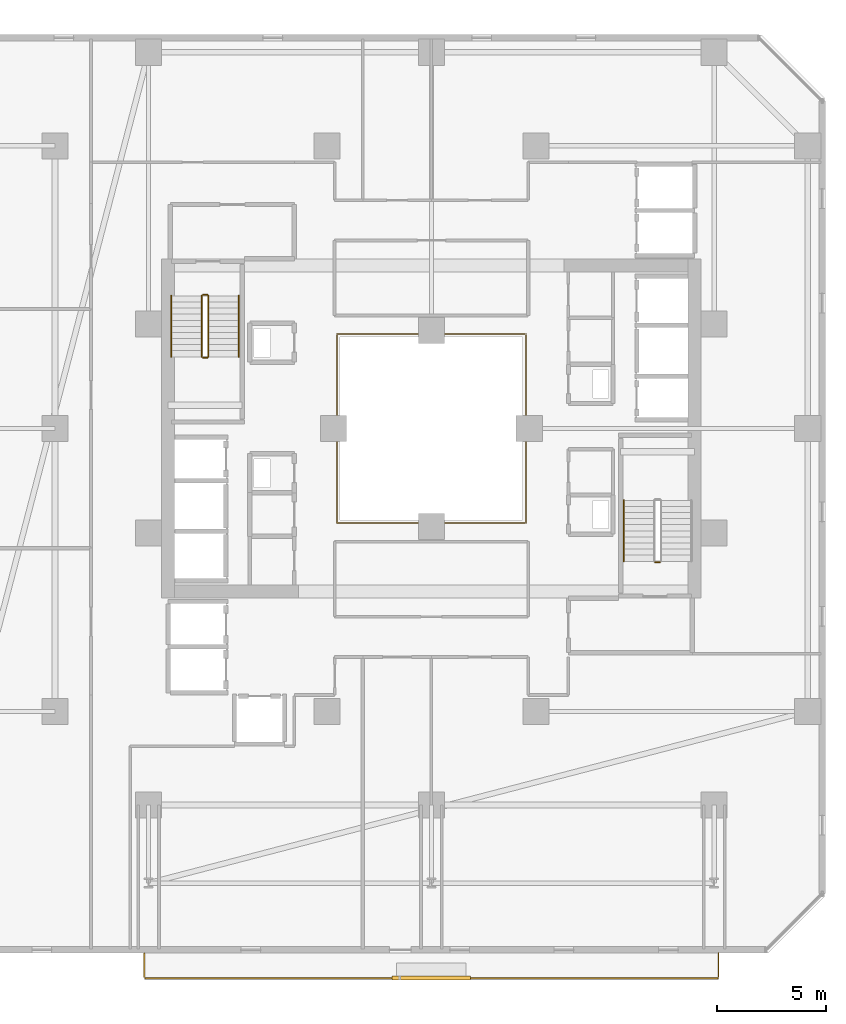
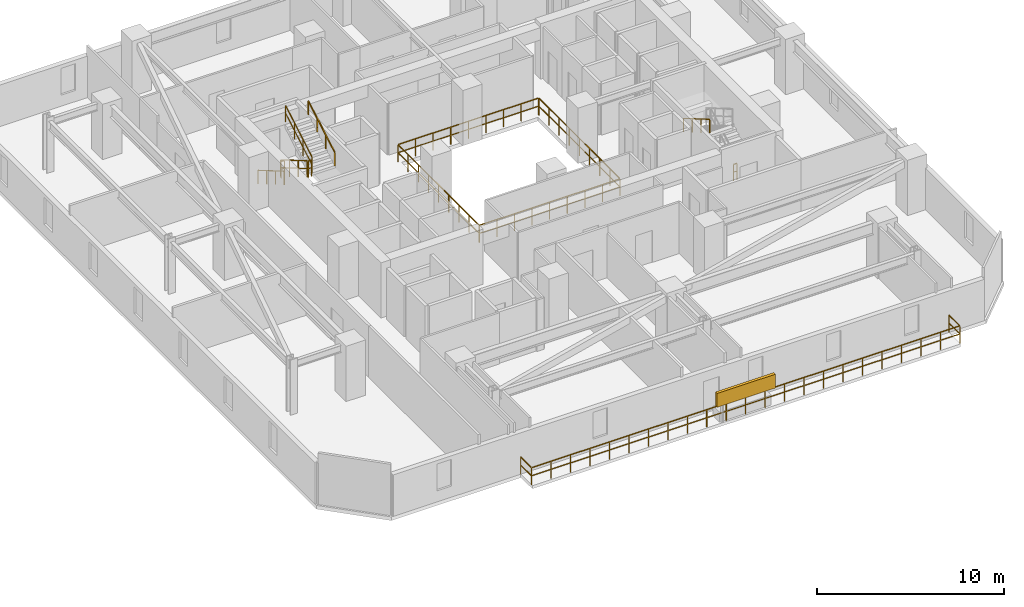
# One storey, part 32 of 33: 10 railings, 1 shading device.
"""IFC4 building model written with IfcOpenShell, lengths in metres."""

from ifc_helpers import new_model, si_unit, direction, frame, origin, origin_2d, place, context, subcontext, project, spatial, rectangle, extrude, material, type_object, element, save


model = new_model("IFC4")

# Units and contexts
model_context = context("Model", 3, precision=1e-05, world=origin(), true_north=direction((0.0, 1.0)))
body_context = subcontext(model_context, "Body", "Model", "MODEL_VIEW")
ifc_project = project(units=[si_unit("LENGTHUNIT", "METRE"), si_unit("AREAUNIT", "SQUARE_METRE"), si_unit("VOLUMEUNIT", "CUBIC_METRE"), si_unit("PLANEANGLEUNIT", "RADIAN"), si_unit("MASSUNIT", "GRAM", prefix="KILO")], contexts=[model_context])

# Site, building, storey
site_placement = place(None, origin())
site = spatial("IfcSite", under=ifc_project, at=site_placement, CompositionType="ELEMENT")
building_placement = place(site_placement, origin())
building = spatial("IfcBuilding", under=site, at=building_placement, Name="Thornwick Lancets Civic Towers", CompositionType="ELEMENT")
storey_placement = place(building_placement, frame((0.0, 0.0, 112.5)))
storey = spatial("IfcBuildingStorey", under=building, at=storey_placement, Name="L29", CompositionType="ELEMENT", Elevation=112.5)

# Railings
ifc_material_1 = material(Name="Laminated glass and bronze steel S355", Category="steel")
railing_type_1 = type_object("IfcRailingType", Name="RAIL_ATRIUM_GUARD", PredefinedType="BALUSTRADE", material=ifc_material_1)
railing_1_placement = place(storey_placement, frame((84.159912109375, 22.659912109375, 0.0)))
element("IfcRailing", 1, at=railing_1_placement, inside=storey, type_object=railing_type_1, Name="L29 Tower B Central Atrium Guard Balustrade", PredefinedType="BALUSTRADE", context=body_context, shape_type="SweptSolid", body=[
    extrude(rectangle(XDim=0.048095703125, YDim=0.048095703125, at=origin_2d()), frame((0.0, 0.0, 1.1259765625), z_axis=(1.0, 0.0, 0.0), x_axis=(0.0, 1.0, 0.0)), (0.0, 0.0, 1.0), 8.64892578125),
    extrude(rectangle(XDim=0.0419921875, YDim=0.0419921875, at=origin_2d()), frame((0.03759765625, 0.0, 0.597900390625), z_axis=(1.0, 0.0, 0.0), x_axis=(0.0, 1.0, 0.0)), (0.0, 0.0, 1.0), 1.010009765625),
    extrude(rectangle(XDim=0.0419921875, YDim=0.0419921875, at=origin_2d()), frame((1.12255859375, 0.0, 0.597900390625), z_axis=(1.0, 0.0, 0.0), x_axis=(0.0, 1.0, 0.0)), (0.0, 0.0, 1.0), 1.010009765625),
    extrude(rectangle(XDim=0.0419921875, YDim=0.0419921875, at=origin_2d()), frame((2.20751953125, 0.0, 0.597900390625), z_axis=(1.0, 0.0, 0.0), x_axis=(0.0, 1.0, 0.0)), (0.0, 0.0, 1.0), 1.010009765625),
    extrude(rectangle(XDim=0.0419921875, YDim=0.0419921875, at=origin_2d()), frame((3.29248046875, 0.0, 0.597900390625), z_axis=(1.0, 0.0, 0.0), x_axis=(0.0, 1.0, 0.0)), (0.0, 0.0, 1.0), 1.010009765625),
    extrude(rectangle(XDim=0.0419921875, YDim=0.0419921875, at=origin_2d()), frame((4.377685546875, 0.0, 0.597900390625), z_axis=(1.0, 0.0, 0.0), x_axis=(0.0, 1.0, 0.0)), (0.0, 0.0, 1.0), 1.010009765625),
    extrude(rectangle(XDim=0.0419921875, YDim=0.0419921875, at=origin_2d()), frame((5.462646484375, 0.0, 0.597900390625), z_axis=(1.0, 0.0, 0.0), x_axis=(0.0, 1.0, 0.0)), (0.0, 0.0, 1.0), 1.010009765625),
    extrude(rectangle(XDim=0.0419921875, YDim=0.0419921875, at=origin_2d()), frame((6.547607421875, 0.0, 0.597900390625), z_axis=(1.0, 0.0, 0.0), x_axis=(0.0, 1.0, 0.0)), (0.0, 0.0, 1.0), 1.010009765625),
    extrude(rectangle(XDim=0.0419921875, YDim=0.0419921875, at=origin_2d()), frame((7.632568359375, 0.0, 0.597900390625), z_axis=(1.0, 0.0, 0.0), x_axis=(0.0, 1.0, 0.0)), (0.0, 0.0, 1.0), 1.010009765625),
    extrude(rectangle(XDim=0.048095703125, YDim=0.048095703125, at=origin_2d()), frame((8.68017578125, 0.03125, 1.1259765625), z_axis=(0.0, 1.0, 0.0), x_axis=(-1.0, 0.0, 0.0)), (0.0, 0.0, 1.0), 8.61767578125),
    extrude(rectangle(XDim=0.0419921875, YDim=0.0419921875, at=origin_2d()), frame((8.68017578125, 0.03759765625, 0.597900390625), z_axis=(0.0, 1.0, 0.0), x_axis=(-1.0, 0.0, 0.0)), (0.0, 0.0, 1.0), 1.010009765625),
    extrude(rectangle(XDim=0.0419921875, YDim=0.0419921875, at=origin_2d()), frame((8.68017578125, 1.12255859375, 0.597900390625), z_axis=(0.0, 1.0, 0.0), x_axis=(-1.0, 0.0, 0.0)), (0.0, 0.0, 1.0), 1.010009765625),
    extrude(rectangle(XDim=0.0419921875, YDim=0.0419921875, at=origin_2d()), frame((8.68017578125, 2.20751953125, 0.597900390625), z_axis=(0.0, 1.0, 0.0), x_axis=(-1.0, 0.0, 0.0)), (0.0, 0.0, 1.0), 1.010009765625),
    extrude(rectangle(XDim=0.0419921875, YDim=0.0419921875, at=origin_2d()), frame((8.68017578125, 3.29248046875, 0.597900390625), z_axis=(0.0, 1.0, 0.0), x_axis=(-1.0, 0.0, 0.0)), (0.0, 0.0, 1.0), 1.010009765625),
    extrude(rectangle(XDim=0.0419921875, YDim=0.0419921875, at=origin_2d()), frame((8.68017578125, 4.377685546875, 0.597900390625), z_axis=(0.0, 1.0, 0.0), x_axis=(-1.0, 0.0, 0.0)), (0.0, 0.0, 1.0), 1.010009765625),
    extrude(rectangle(XDim=0.0419921875, YDim=0.0419921875, at=origin_2d()), frame((8.68017578125, 5.462646484375, 0.597900390625), z_axis=(0.0, 1.0, 0.0), x_axis=(-1.0, 0.0, 0.0)), (0.0, 0.0, 1.0), 1.010009765625),
    extrude(rectangle(XDim=0.0419921875, YDim=0.0419921875, at=origin_2d()), frame((8.68017578125, 6.547607421875, 0.597900390625), z_axis=(0.0, 1.0, 0.0), x_axis=(-1.0, 0.0, 0.0)), (0.0, 0.0, 1.0), 1.010009765625),
    extrude(rectangle(XDim=0.0419921875, YDim=0.0419921875, at=origin_2d()), frame((8.68017578125, 7.632568359375, 0.597900390625), z_axis=(0.0, 1.0, 0.0), x_axis=(-1.0, 0.0, 0.0)), (0.0, 0.0, 1.0), 1.010009765625),
    extrude(rectangle(XDim=0.048095703125, YDim=0.048095703125, at=origin_2d()), frame((8.64892578125, 8.68017578125, 1.1259765625), z_axis=(-1.0, 0.0, 0.0), x_axis=(0.0, -1.0, 0.0)), (0.0, 0.0, 1.0), 8.61767578125),
    extrude(rectangle(XDim=0.0419921875, YDim=0.0419921875, at=origin_2d()), frame((8.642578125, 8.68017578125, 0.597900390625), z_axis=(-1.0, 0.0, 0.0), x_axis=(0.0, -1.0, 0.0)), (0.0, 0.0, 1.0), 1.010009765625),
    extrude(rectangle(XDim=0.0419921875, YDim=0.0419921875, at=origin_2d()), frame((7.5576171875, 8.68017578125, 0.597900390625), z_axis=(-1.0, 0.0, 0.0), x_axis=(0.0, -1.0, 0.0)), (0.0, 0.0, 1.0), 1.010009765625),
    extrude(rectangle(XDim=0.0419921875, YDim=0.0419921875, at=origin_2d()), frame((6.47265625, 8.68017578125, 0.597900390625), z_axis=(-1.0, 0.0, 0.0), x_axis=(0.0, -1.0, 0.0)), (0.0, 0.0, 1.0), 1.010009765625),
    extrude(rectangle(XDim=0.0419921875, YDim=0.0419921875, at=origin_2d()), frame((5.3876953125, 8.68017578125, 0.597900390625), z_axis=(-1.0, 0.0, 0.0), x_axis=(0.0, -1.0, 0.0)), (0.0, 0.0, 1.0), 1.010009765625),
    extrude(rectangle(XDim=0.0419921875, YDim=0.0419921875, at=origin_2d()), frame((4.302490234375, 8.68017578125, 0.597900390625), z_axis=(-1.0, 0.0, 0.0), x_axis=(0.0, -1.0, 0.0)), (0.0, 0.0, 1.0), 1.010009765625),
    extrude(rectangle(XDim=0.0419921875, YDim=0.0419921875, at=origin_2d()), frame((3.217529296875, 8.68017578125, 0.597900390625), z_axis=(-1.0, 0.0, 0.0), x_axis=(0.0, -1.0, 0.0)), (0.0, 0.0, 1.0), 1.010009765625),
    extrude(rectangle(XDim=0.0419921875, YDim=0.0419921875, at=origin_2d()), frame((2.132568359375, 8.68017578125, 0.597900390625), z_axis=(-1.0, 0.0, 0.0), x_axis=(0.0, -1.0, 0.0)), (0.0, 0.0, 1.0), 1.010009765625),
    extrude(rectangle(XDim=0.0419921875, YDim=0.0419921875, at=origin_2d()), frame((1.047607421875, 8.68017578125, 0.597900390625), z_axis=(-1.0, 0.0, 0.0), x_axis=(0.0, -1.0, 0.0)), (0.0, 0.0, 1.0), 1.010009765625),
    extrude(rectangle(XDim=0.048095703125, YDim=0.048095703125, at=origin_2d()), frame((0.0, 8.64892578125, 1.1259765625), z_axis=(0.0, -1.0, 0.0), x_axis=(1.0, 0.0, 0.0)), (0.0, 0.0, 1.0), 8.64892578125),
    extrude(rectangle(XDim=0.0419921875, YDim=0.0419921875, at=origin_2d()), frame((0.0, 8.642578125, 0.597900390625), z_axis=(0.0, -1.0, 0.0), x_axis=(1.0, 0.0, 0.0)), (0.0, 0.0, 1.0), 1.010009765625),
    extrude(rectangle(XDim=0.0419921875, YDim=0.0419921875, at=origin_2d()), frame((0.0, 7.5576171875, 0.597900390625), z_axis=(0.0, -1.0, 0.0), x_axis=(1.0, 0.0, 0.0)), (0.0, 0.0, 1.0), 1.010009765625),
    extrude(rectangle(XDim=0.0419921875, YDim=0.0419921875, at=origin_2d()), frame((0.0, 6.47265625, 0.597900390625), z_axis=(0.0, -1.0, 0.0), x_axis=(1.0, 0.0, 0.0)), (0.0, 0.0, 1.0), 1.010009765625),
    extrude(rectangle(XDim=0.0419921875, YDim=0.0419921875, at=origin_2d()), frame((0.0, 5.3876953125, 0.597900390625), z_axis=(0.0, -1.0, 0.0), x_axis=(1.0, 0.0, 0.0)), (0.0, 0.0, 1.0), 1.010009765625),
    extrude(rectangle(XDim=0.0419921875, YDim=0.0419921875, at=origin_2d()), frame((0.0, 4.302490234375, 0.597900390625), z_axis=(0.0, -1.0, 0.0), x_axis=(1.0, 0.0, 0.0)), (0.0, 0.0, 1.0), 1.010009765625),
    extrude(rectangle(XDim=0.0419921875, YDim=0.0419921875, at=origin_2d()), frame((0.0, 3.217529296875, 0.597900390625), z_axis=(0.0, -1.0, 0.0), x_axis=(1.0, 0.0, 0.0)), (0.0, 0.0, 1.0), 1.010009765625),
    extrude(rectangle(XDim=0.0419921875, YDim=0.0419921875, at=origin_2d()), frame((0.0, 2.132568359375, 0.597900390625), z_axis=(0.0, -1.0, 0.0), x_axis=(1.0, 0.0, 0.0)), (0.0, 0.0, 1.0), 1.010009765625),
    extrude(rectangle(XDim=0.0419921875, YDim=0.0419921875, at=origin_2d()), frame((0.0, 1.047607421875, 0.597900390625), z_axis=(0.0, -1.0, 0.0), x_axis=(1.0, 0.0, 0.0)), (0.0, 0.0, 1.0), 1.010009765625),
    extrude(rectangle(XDim=0.0419921875, YDim=0.0419921875, at=origin_2d()), origin(), (0.0, 0.0, 1.0), 1.095703125),
    extrude(rectangle(XDim=0.0419921875, YDim=0.0419921875, at=origin_2d()), frame((1.0849609375, 0.0, 0.0)), (0.0, 0.0, 1.0), 1.095703125),
    extrude(rectangle(XDim=0.0419921875, YDim=0.0419921875, at=origin_2d()), frame((2.169921875, 0.0, 0.0)), (0.0, 0.0, 1.0), 1.095703125),
    extrude(rectangle(XDim=0.0419921875, YDim=0.0419921875, at=origin_2d()), frame((3.255126953125, 0.0, 0.0)), (0.0, 0.0, 1.0), 1.095703125),
    extrude(rectangle(XDim=0.0419921875, YDim=0.0419921875, at=origin_2d()), frame((4.340087890625, 0.0, 0.0)), (0.0, 0.0, 1.0), 1.095703125),
    extrude(rectangle(XDim=0.0419921875, YDim=0.0419921875, at=origin_2d()), frame((5.425048828125, 0.0, 0.0)), (0.0, 0.0, 1.0), 1.095703125),
    extrude(rectangle(XDim=0.0419921875, YDim=0.0419921875, at=origin_2d()), frame((6.51025390625, 0.0, 0.0)), (0.0, 0.0, 1.0), 1.095703125),
    extrude(rectangle(XDim=0.0419921875, YDim=0.0419921875, at=origin_2d()), frame((7.59521484375, 0.0, 0.0)), (0.0, 0.0, 1.0), 1.095703125),
    extrude(rectangle(XDim=0.0419921875, YDim=0.0419921875, at=origin_2d()), frame((8.68017578125, 0.0, 0.0)), (0.0, 0.0, 1.0), 1.095703125),
    extrude(rectangle(XDim=0.0419921875, YDim=0.0419921875, at=origin_2d()), frame((8.68017578125, 1.0849609375, 0.0)), (0.0, 0.0, 1.0), 1.095703125),
    extrude(rectangle(XDim=0.0419921875, YDim=0.0419921875, at=origin_2d()), frame((8.68017578125, 2.169921875, 0.0)), (0.0, 0.0, 1.0), 1.095703125),
    extrude(rectangle(XDim=0.0419921875, YDim=0.0419921875, at=origin_2d()), frame((8.68017578125, 3.255126953125, 0.0)), (0.0, 0.0, 1.0), 1.095703125),
    extrude(rectangle(XDim=0.0419921875, YDim=0.0419921875, at=origin_2d()), frame((8.68017578125, 4.340087890625, 0.0)), (0.0, 0.0, 1.0), 1.095703125),
    extrude(rectangle(XDim=0.0419921875, YDim=0.0419921875, at=origin_2d()), frame((8.68017578125, 5.425048828125, 0.0)), (0.0, 0.0, 1.0), 1.095703125),
    extrude(rectangle(XDim=0.0419921875, YDim=0.0419921875, at=origin_2d()), frame((8.68017578125, 6.51025390625, 0.0)), (0.0, 0.0, 1.0), 1.095703125),
    extrude(rectangle(XDim=0.0419921875, YDim=0.0419921875, at=origin_2d()), frame((8.68017578125, 7.59521484375, 0.0)), (0.0, 0.0, 1.0), 1.095703125),
    extrude(rectangle(XDim=0.0419921875, YDim=0.0419921875, at=origin_2d()), frame((8.68017578125, 8.68017578125, 0.0)), (0.0, 0.0, 1.0), 1.095703125),
    extrude(rectangle(XDim=0.0419921875, YDim=0.0419921875, at=origin_2d()), frame((7.59521484375, 8.68017578125, 0.0)), (0.0, 0.0, 1.0), 1.095703125),
    extrude(rectangle(XDim=0.0419921875, YDim=0.0419921875, at=origin_2d()), frame((6.51025390625, 8.68017578125, 0.0)), (0.0, 0.0, 1.0), 1.095703125),
    extrude(rectangle(XDim=0.0419921875, YDim=0.0419921875, at=origin_2d()), frame((5.425048828125, 8.68017578125, 0.0)), (0.0, 0.0, 1.0), 1.095703125),
    extrude(rectangle(XDim=0.0419921875, YDim=0.0419921875, at=origin_2d()), frame((4.340087890625, 8.68017578125, 0.0)), (0.0, 0.0, 1.0), 1.095703125),
    extrude(rectangle(XDim=0.0419921875, YDim=0.0419921875, at=origin_2d()), frame((3.255126953125, 8.68017578125, 0.0)), (0.0, 0.0, 1.0), 1.095703125),
    extrude(rectangle(XDim=0.0419921875, YDim=0.0419921875, at=origin_2d()), frame((2.169921875, 8.68017578125, 0.0)), (0.0, 0.0, 1.0), 1.095703125),
    extrude(rectangle(XDim=0.0419921875, YDim=0.0419921875, at=origin_2d()), frame((1.0849609375, 8.68017578125, 0.0)), (0.0, 0.0, 1.0), 1.095703125),
    extrude(rectangle(XDim=0.0419921875, YDim=0.0419921875, at=origin_2d()), frame((0.0, 8.68017578125, 0.0)), (0.0, 0.0, 1.0), 1.095703125),
    extrude(rectangle(XDim=0.0419921875, YDim=0.0419921875, at=origin_2d()), frame((0.0, 7.59521484375, 0.0)), (0.0, 0.0, 1.0), 1.095703125),
    extrude(rectangle(XDim=0.0419921875, YDim=0.0419921875, at=origin_2d()), frame((0.0, 6.51025390625, 0.0)), (0.0, 0.0, 1.0), 1.095703125),
    extrude(rectangle(XDim=0.0419921875, YDim=0.0419921875, at=origin_2d()), frame((0.0, 5.425048828125, 0.0)), (0.0, 0.0, 1.0), 1.095703125),
    extrude(rectangle(XDim=0.0419921875, YDim=0.0419921875, at=origin_2d()), frame((0.0, 4.340087890625, 0.0)), (0.0, 0.0, 1.0), 1.095703125),
    extrude(rectangle(XDim=0.0419921875, YDim=0.0419921875, at=origin_2d()), frame((0.0, 3.255126953125, 0.0)), (0.0, 0.0, 1.0), 1.095703125),
    extrude(rectangle(XDim=0.0419921875, YDim=0.0419921875, at=origin_2d()), frame((0.0, 2.169921875, 0.0)), (0.0, 0.0, 1.0), 1.095703125),
    extrude(rectangle(XDim=0.0419921875, YDim=0.0419921875, at=origin_2d()), frame((0.0, 1.0849609375, 0.0)), (0.0, 0.0, 1.0), 1.095703125),
])
ifc_material_2 = material(Name="Brushed stainless steel S355", Category="steel")
railing_type_2 = type_object("IfcRailingType", Name="RAIL_HANDRAIL", PredefinedType="HANDRAIL", material=ifc_material_2)
for number, where, name in (
    (2, (97.35009765625, 23.699951171875, 1.963623046875), "L29 ST-B1 stair handrail 2"),
    (3, (76.550048828125, 33.10009765625, 0.16357421875), "L29 ST-B2 stair handrail 1"),
):
    element("IfcRailing", number, at=place(storey_placement, frame(where)), inside=storey, type_object=railing_type_2, Name=name, PredefinedType="HANDRAIL", context=body_context, shape_type="SweptSolid", body=[
        extrude(rectangle(XDim=0.048095703125, YDim=0.048095703125, at=origin_2d()), frame((0.0, 0.0, 0.8857421875), z_axis=(0.0, -0.863360870873, 0.504586966384), x_axis=(1.0, 0.0, 0.0)), (0.0, 0.0, 1.0), 3.2431640625),
        extrude(rectangle(XDim=0.0419921875, YDim=0.0419921875, at=origin_2d()), origin(), (0.0, 0.0, 1.0), 0.855712890625),
        extrude(rectangle(XDim=0.0419921875, YDim=0.0419921875, at=origin_2d()), frame((0.0, -0.933349609375, 0.54541015625)), (0.0, 0.0, 1.0), 0.855712890625),
        extrude(rectangle(XDim=0.0419921875, YDim=0.0419921875, at=origin_2d()), frame((0.0, -1.86669921875, 1.091064453125)), (0.0, 0.0, 1.0), 0.855712890625),
        extrude(rectangle(XDim=0.0419921875, YDim=0.0419921875, at=origin_2d()), frame((0.0, -2.800048828125, 1.636474609375)), (0.0, 0.0, 1.0), 0.855712890625),
    ])
railing_2_placement = place(storey_placement, frame((79.64990234375, 30.300048828125, 1.963623046875)))
element("IfcRailing", 4, at=railing_2_placement, inside=storey, type_object=railing_type_2, Name="L29 ST-B2 stair handrail 2", PredefinedType="HANDRAIL", context=body_context, shape_type="SweptSolid", body=[
    extrude(rectangle(XDim=0.048095703125, YDim=0.048095703125, at=origin_2d()), frame((0.0, 0.0, 0.8857421875), z_axis=(0.0, 0.863360870873, 0.504586966384), x_axis=(-1.0, 0.0, 0.0)), (0.0, 0.0, 1.0), 3.2431640625),
    extrude(rectangle(XDim=0.0419921875, YDim=0.0419921875, at=origin_2d()), origin(), (0.0, 0.0, 1.0), 0.855712890625),
    extrude(rectangle(XDim=0.0419921875, YDim=0.0419921875, at=origin_2d()), frame((0.0, 0.933349609375, 0.54541015625)), (0.0, 0.0, 1.0), 0.855712890625),
    extrude(rectangle(XDim=0.0419921875, YDim=0.0419921875, at=origin_2d()), frame((0.0, 1.86669921875, 1.091064453125)), (0.0, 0.0, 1.0), 0.855712890625),
    extrude(rectangle(XDim=0.0419921875, YDim=0.0419921875, at=origin_2d()), frame((0.0, 2.800048828125, 1.636474609375)), (0.0, 0.0, 1.0), 0.855712890625),
])
ifc_material_3 = material(Name="Steel S355JR", Category="steel")
railing_type_3 = type_object("IfcRailingType", Name="RAIL_STAIR_GUARD", PredefinedType="GUARDRAIL", material=ifc_material_3)
railing_3_placement = place(storey_placement, frame((99.0, 20.85009765625, 0.0)))
element("IfcRailing", 5, at=railing_3_placement, inside=storey, type_object=railing_type_3, Name="L29 ST-B1 stair guard 4", PredefinedType="GUARDRAIL", context=body_context, shape_type="SweptSolid", body=[
    extrude(rectangle(XDim=0.048095703125, YDim=0.048095703125, at=origin_2d()), frame((0.0, 0.0, 1.076171875), z_axis=(-1.0, 0.0, 0.0), x_axis=(0.0, -1.0, 0.0)), (0.0, 0.0, 1.0), 0.199951171875),
    extrude(rectangle(XDim=0.0419921875, YDim=0.0419921875, at=origin_2d()), frame((-0.03759765625, 0.0, 0.572021484375), z_axis=(-1.0, 0.0, 0.0), x_axis=(0.0, -1.0, 0.0)), (0.0, 0.0, 1.0), 0.125),
    extrude(rectangle(XDim=0.0419921875, YDim=0.0419921875, at=origin_2d()), origin(), (0.0, 0.0, 1.0), 1.0458984375),
    extrude(rectangle(XDim=0.0419921875, YDim=0.0419921875, at=origin_2d()), frame((-0.199951171875, 0.0, 0.0)), (0.0, 0.0, 1.0), 1.0458984375),
])
railing_4_placement = place(storey_placement, frame((77.949951171875, 33.10009765625, 0.16357421875)))
element("IfcRailing", 6, at=railing_4_placement, inside=storey, type_object=railing_type_3, Name="L29 ST-B2 stair guard 1", PredefinedType="GUARDRAIL", context=body_context, shape_type="SweptSolid", body=[
    extrude(rectangle(XDim=0.048095703125, YDim=0.048095703125, at=origin_2d()), frame((0.0, 0.0, 1.076171875), z_axis=(0.0, -0.863360870873, 0.504586966384), x_axis=(1.0, 0.0, 0.0)), (0.0, 0.0, 1.0), 3.2431640625),
    extrude(rectangle(XDim=0.0419921875, YDim=0.0419921875, at=origin_2d()), frame((0.0, -0.032470703125, 0.591064453125), z_axis=(0.0, -0.863360870873, 0.504586966384), x_axis=(1.0, 0.0, 0.0)), (0.0, 0.0, 1.0), 1.006103515625),
    extrude(rectangle(XDim=0.0419921875, YDim=0.0419921875, at=origin_2d()), frame((0.0, -0.9658203125, 1.136474609375), z_axis=(0.0, -0.863360870873, 0.504586966384), x_axis=(1.0, 0.0, 0.0)), (0.0, 0.0, 1.0), 1.006103515625),
    extrude(rectangle(XDim=0.0419921875, YDim=0.0419921875, at=origin_2d()), frame((0.0, -1.899169921875, 1.681884765625), z_axis=(0.0, -0.863360870873, 0.504586966384), x_axis=(1.0, 0.0, 0.0)), (0.0, 0.0, 1.0), 1.006103515625),
    extrude(rectangle(XDim=0.0419921875, YDim=0.0419921875, at=origin_2d()), origin(), (0.0, 0.0, 1.0), 1.0458984375),
    extrude(rectangle(XDim=0.0419921875, YDim=0.0419921875, at=origin_2d()), frame((0.0, -0.933349609375, 0.54541015625)), (0.0, 0.0, 1.0), 1.0458984375),
    extrude(rectangle(XDim=0.0419921875, YDim=0.0419921875, at=origin_2d()), frame((0.0, -1.86669921875, 1.091064453125)), (0.0, 0.0, 1.0), 1.0458984375),
    extrude(rectangle(XDim=0.0419921875, YDim=0.0419921875, at=origin_2d()), frame((0.0, -2.800048828125, 1.636474609375)), (0.0, 0.0, 1.0), 1.0458984375),
])
railing_5_placement = place(storey_placement, frame((78.0, 30.25, 1.800048828125)))
element("IfcRailing", 7, at=railing_5_placement, inside=storey, type_object=railing_type_3, Name="L29 ST-B2 stair guard 2", PredefinedType="GUARDRAIL", context=body_context, shape_type="SweptSolid", body=[
    extrude(rectangle(XDim=0.048095703125, YDim=0.048095703125, at=origin_2d()), frame((0.0, 0.0, 1.076171875), z_axis=(1.0, 0.0, 0.0), x_axis=(0.0, 1.0, 0.0)), (0.0, 0.0, 1.0), 0.199951171875),
    extrude(rectangle(XDim=0.0419921875, YDim=0.0419921875, at=origin_2d()), frame((0.03759765625, 0.0, 0.572021484375), z_axis=(1.0, 0.0, 0.0), x_axis=(0.0, 1.0, 0.0)), (0.0, 0.0, 1.0), 0.125),
    extrude(rectangle(XDim=0.0419921875, YDim=0.0419921875, at=origin_2d()), origin(), (0.0, 0.0, 1.0), 1.0458984375),
    extrude(rectangle(XDim=0.0419921875, YDim=0.0419921875, at=origin_2d()), frame((0.199951171875, 0.0, 0.0)), (0.0, 0.0, 1.0), 1.0458984375),
])
railing_6_placement = place(storey_placement, frame((78.25, 30.300048828125, 1.963623046875)))
element("IfcRailing", 8, at=railing_6_placement, inside=storey, type_object=railing_type_3, Name="L29 ST-B2 stair guard 3", PredefinedType="GUARDRAIL", context=body_context, shape_type="SweptSolid", body=[
    extrude(rectangle(XDim=0.048095703125, YDim=0.048095703125, at=origin_2d()), frame((0.0, 0.0, 1.076171875), z_axis=(0.0, 0.863360870873, 0.504586966384), x_axis=(-1.0, 0.0, 0.0)), (0.0, 0.0, 1.0), 3.2431640625),
    extrude(rectangle(XDim=0.0419921875, YDim=0.0419921875, at=origin_2d()), frame((0.0, 0.032470703125, 0.591064453125), z_axis=(0.0, 0.863360870873, 0.504586966384), x_axis=(-1.0, 0.0, 0.0)), (0.0, 0.0, 1.0), 1.006103515625),
    extrude(rectangle(XDim=0.0419921875, YDim=0.0419921875, at=origin_2d()), frame((0.0, 0.9658203125, 1.136474609375), z_axis=(0.0, 0.863360870873, 0.504586966384), x_axis=(-1.0, 0.0, 0.0)), (0.0, 0.0, 1.0), 1.006103515625),
    extrude(rectangle(XDim=0.0419921875, YDim=0.0419921875, at=origin_2d()), frame((0.0, 1.899169921875, 1.681884765625), z_axis=(0.0, 0.863360870873, 0.504586966384), x_axis=(-1.0, 0.0, 0.0)), (0.0, 0.0, 1.0), 1.006103515625),
    extrude(rectangle(XDim=0.0419921875, YDim=0.0419921875, at=origin_2d()), origin(), (0.0, 0.0, 1.0), 1.0458984375),
    extrude(rectangle(XDim=0.0419921875, YDim=0.0419921875, at=origin_2d()), frame((0.0, 0.933349609375, 0.54541015625)), (0.0, 0.0, 1.0), 1.0458984375),
    extrude(rectangle(XDim=0.0419921875, YDim=0.0419921875, at=origin_2d()), frame((0.0, 1.86669921875, 1.091064453125)), (0.0, 0.0, 1.0), 1.0458984375),
    extrude(rectangle(XDim=0.0419921875, YDim=0.0419921875, at=origin_2d()), frame((0.0, 2.800048828125, 1.636474609375)), (0.0, 0.0, 1.0), 1.0458984375),
])
railing_7_placement = place(storey_placement, frame((78.0, 33.14990234375, 0.0)))
element("IfcRailing", 9, at=railing_7_placement, inside=storey, type_object=railing_type_3, Name="L29 ST-B2 stair guard 4", PredefinedType="GUARDRAIL", context=body_context, shape_type="SweptSolid", body=[
    extrude(rectangle(XDim=0.048095703125, YDim=0.048095703125, at=origin_2d()), frame((0.0, 0.0, 1.076171875), z_axis=(1.0, 0.0, 0.0), x_axis=(0.0, 1.0, 0.0)), (0.0, 0.0, 1.0), 0.199951171875),
    extrude(rectangle(XDim=0.0419921875, YDim=0.0419921875, at=origin_2d()), frame((0.03759765625, 0.0, 0.572021484375), z_axis=(1.0, 0.0, 0.0), x_axis=(0.0, 1.0, 0.0)), (0.0, 0.0, 1.0), 0.125),
    extrude(rectangle(XDim=0.0419921875, YDim=0.0419921875, at=origin_2d()), origin(), (0.0, 0.0, 1.0), 1.0458984375),
    extrude(rectangle(XDim=0.0419921875, YDim=0.0419921875, at=origin_2d()), frame((0.199951171875, 0.0, 0.0)), (0.0, 0.0, 1.0), 1.0458984375),
])
ifc_material_4 = material(Name="Terracotta-capped laminated glass balustrade S355", Category="masonry")
railing_type_4 = type_object("IfcRailingType", Name="RAIL_TERR_GUARD", PredefinedType="GUARDRAIL", material=ifc_material_4)
railing_8_placement = place(storey_placement, frame((75.300048828125, 2.89990234375, 0.0)))
element("IfcRailing", 10, at=railing_8_placement, inside=storey, type_object=railing_type_4, Name="L29 Tower B Balcony Guard S", PredefinedType="GUARDRAIL", context=body_context, shape_type="SweptSolid", body=[
    extrude(rectangle(XDim=0.048095703125, YDim=0.048095703125, at=origin_2d()), frame((0.0, 0.0, 1.1259765625), z_axis=(0.0, -1.0, 0.0), x_axis=(1.0, 0.0, 0.0)), (0.0, 0.0, 1.0), 1.138671875),
    extrude(rectangle(XDim=0.0419921875, YDim=0.0419921875, at=origin_2d()), frame((0.0, -0.03759765625, 0.597900390625), z_axis=(0.0, -1.0, 0.0), x_axis=(1.0, 0.0, 0.0)), (0.0, 0.0, 1.0), 1.094970703125),
    extrude(rectangle(XDim=0.048095703125, YDim=0.048095703125, at=origin_2d()), frame((0.03125, -1.169921875, 1.1259765625), z_axis=(1.0, 0.0, 0.0), x_axis=(0.0, 1.0, 0.0)), (0.0, 0.0, 1.0), 26.33740234375),
    extrude(rectangle(XDim=0.0419921875, YDim=0.0419921875, at=origin_2d()), frame((0.03759765625, -1.169921875, 0.597900390625), z_axis=(1.0, 0.0, 0.0), x_axis=(0.0, 1.0, 0.0)), (0.0, 0.0, 1.0), 1.125),
    extrude(rectangle(XDim=0.0419921875, YDim=0.0419921875, at=origin_2d()), frame((1.237548828125, -1.169921875, 0.597900390625), z_axis=(1.0, 0.0, 0.0), x_axis=(0.0, 1.0, 0.0)), (0.0, 0.0, 1.0), 1.125),
    extrude(rectangle(XDim=0.0419921875, YDim=0.0419921875, at=origin_2d()), frame((2.4375, -1.169921875, 0.597900390625), z_axis=(1.0, 0.0, 0.0), x_axis=(0.0, 1.0, 0.0)), (0.0, 0.0, 1.0), 1.125),
    extrude(rectangle(XDim=0.0419921875, YDim=0.0419921875, at=origin_2d()), frame((3.637451171875, -1.169921875, 0.597900390625), z_axis=(1.0, 0.0, 0.0), x_axis=(0.0, 1.0, 0.0)), (0.0, 0.0, 1.0), 1.125),
    extrude(rectangle(XDim=0.0419921875, YDim=0.0419921875, at=origin_2d()), frame((4.83740234375, -1.169921875, 0.597900390625), z_axis=(1.0, 0.0, 0.0), x_axis=(0.0, 1.0, 0.0)), (0.0, 0.0, 1.0), 1.125),
    extrude(rectangle(XDim=0.0419921875, YDim=0.0419921875, at=origin_2d()), frame((6.037353515625, -1.169921875, 0.597900390625), z_axis=(1.0, 0.0, 0.0), x_axis=(0.0, 1.0, 0.0)), (0.0, 0.0, 1.0), 1.125),
    extrude(rectangle(XDim=0.0419921875, YDim=0.0419921875, at=origin_2d()), frame((7.237548828125, -1.169921875, 0.597900390625), z_axis=(1.0, 0.0, 0.0), x_axis=(0.0, 1.0, 0.0)), (0.0, 0.0, 1.0), 1.125),
    extrude(rectangle(XDim=0.0419921875, YDim=0.0419921875, at=origin_2d()), frame((8.4375, -1.169921875, 0.597900390625), z_axis=(1.0, 0.0, 0.0), x_axis=(0.0, 1.0, 0.0)), (0.0, 0.0, 1.0), 1.125),
    extrude(rectangle(XDim=0.0419921875, YDim=0.0419921875, at=origin_2d()), frame((9.637451171875, -1.169921875, 0.597900390625), z_axis=(1.0, 0.0, 0.0), x_axis=(0.0, 1.0, 0.0)), (0.0, 0.0, 1.0), 1.125),
    extrude(rectangle(XDim=0.0419921875, YDim=0.0419921875, at=origin_2d()), frame((10.83740234375, -1.169921875, 0.597900390625), z_axis=(1.0, 0.0, 0.0), x_axis=(0.0, 1.0, 0.0)), (0.0, 0.0, 1.0), 1.125),
    extrude(rectangle(XDim=0.0419921875, YDim=0.0419921875, at=origin_2d()), frame((12.037353515625, -1.169921875, 0.597900390625), z_axis=(1.0, 0.0, 0.0), x_axis=(0.0, 1.0, 0.0)), (0.0, 0.0, 1.0), 1.125),
    extrude(rectangle(XDim=0.0419921875, YDim=0.0419921875, at=origin_2d()), frame((13.237548828125, -1.169921875, 0.597900390625), z_axis=(1.0, 0.0, 0.0), x_axis=(0.0, 1.0, 0.0)), (0.0, 0.0, 1.0), 1.125),
    extrude(rectangle(XDim=0.0419921875, YDim=0.0419921875, at=origin_2d()), frame((14.4375, -1.169921875, 0.597900390625), z_axis=(1.0, 0.0, 0.0), x_axis=(0.0, 1.0, 0.0)), (0.0, 0.0, 1.0), 1.125),
    extrude(rectangle(XDim=0.0419921875, YDim=0.0419921875, at=origin_2d()), frame((15.637451171875, -1.169921875, 0.597900390625), z_axis=(1.0, 0.0, 0.0), x_axis=(0.0, 1.0, 0.0)), (0.0, 0.0, 1.0), 1.125),
    extrude(rectangle(XDim=0.0419921875, YDim=0.0419921875, at=origin_2d()), frame((16.83740234375, -1.169921875, 0.597900390625), z_axis=(1.0, 0.0, 0.0), x_axis=(0.0, 1.0, 0.0)), (0.0, 0.0, 1.0), 1.125),
    extrude(rectangle(XDim=0.0419921875, YDim=0.0419921875, at=origin_2d()), frame((18.037353515625, -1.169921875, 0.597900390625), z_axis=(1.0, 0.0, 0.0), x_axis=(0.0, 1.0, 0.0)), (0.0, 0.0, 1.0), 1.125),
    extrude(rectangle(XDim=0.0419921875, YDim=0.0419921875, at=origin_2d()), frame((19.2373046875, -1.169921875, 0.597900390625), z_axis=(1.0, 0.0, 0.0), x_axis=(0.0, 1.0, 0.0)), (0.0, 0.0, 1.0), 1.125),
    extrude(rectangle(XDim=0.0419921875, YDim=0.0419921875, at=origin_2d()), frame((20.4375, -1.169921875, 0.597900390625), z_axis=(1.0, 0.0, 0.0), x_axis=(0.0, 1.0, 0.0)), (0.0, 0.0, 1.0), 1.125),
    extrude(rectangle(XDim=0.0419921875, YDim=0.0419921875, at=origin_2d()), frame((21.637451171875, -1.169921875, 0.597900390625), z_axis=(1.0, 0.0, 0.0), x_axis=(0.0, 1.0, 0.0)), (0.0, 0.0, 1.0), 1.125),
    extrude(rectangle(XDim=0.0419921875, YDim=0.0419921875, at=origin_2d()), frame((22.83740234375, -1.169921875, 0.597900390625), z_axis=(1.0, 0.0, 0.0), x_axis=(0.0, 1.0, 0.0)), (0.0, 0.0, 1.0), 1.125),
    extrude(rectangle(XDim=0.0419921875, YDim=0.0419921875, at=origin_2d()), frame((24.037353515625, -1.169921875, 0.597900390625), z_axis=(1.0, 0.0, 0.0), x_axis=(0.0, 1.0, 0.0)), (0.0, 0.0, 1.0), 1.125),
    extrude(rectangle(XDim=0.0419921875, YDim=0.0419921875, at=origin_2d()), frame((25.2373046875, -1.169921875, 0.597900390625), z_axis=(1.0, 0.0, 0.0), x_axis=(0.0, 1.0, 0.0)), (0.0, 0.0, 1.0), 1.125),
    extrude(rectangle(XDim=0.048095703125, YDim=0.048095703125, at=origin_2d()), frame((26.39990234375, -1.138671875, 1.1259765625), z_axis=(0.0, 1.0, 0.0), x_axis=(-1.0, 0.0, 0.0)), (0.0, 0.0, 1.0), 1.138671875),
    extrude(rectangle(XDim=0.0419921875, YDim=0.0419921875, at=origin_2d()), frame((26.39990234375, -1.13232421875, 0.597900390625), z_axis=(0.0, 1.0, 0.0), x_axis=(-1.0, 0.0, 0.0)), (0.0, 0.0, 1.0), 1.094970703125),
    extrude(rectangle(XDim=0.0419921875, YDim=0.0419921875, at=origin_2d()), origin(), (0.0, 0.0, 1.0), 1.095703125),
    extrude(rectangle(XDim=0.0419921875, YDim=0.0419921875, at=origin_2d()), frame((0.0, -1.169921875, 0.0)), (0.0, 0.0, 1.0), 1.095703125),
    extrude(rectangle(XDim=0.0419921875, YDim=0.0419921875, at=origin_2d()), frame((1.199951171875, -1.169921875, 0.0)), (0.0, 0.0, 1.0), 1.095703125),
    extrude(rectangle(XDim=0.0419921875, YDim=0.0419921875, at=origin_2d()), frame((2.39990234375, -1.169921875, 0.0)), (0.0, 0.0, 1.0), 1.095703125),
    extrude(rectangle(XDim=0.0419921875, YDim=0.0419921875, at=origin_2d()), frame((3.60009765625, -1.169921875, 0.0)), (0.0, 0.0, 1.0), 1.095703125),
    extrude(rectangle(XDim=0.0419921875, YDim=0.0419921875, at=origin_2d()), frame((4.800048828125, -1.169921875, 0.0)), (0.0, 0.0, 1.0), 1.095703125),
    extrude(rectangle(XDim=0.0419921875, YDim=0.0419921875, at=origin_2d()), frame((6.0, -1.169921875, 0.0)), (0.0, 0.0, 1.0), 1.095703125),
    extrude(rectangle(XDim=0.0419921875, YDim=0.0419921875, at=origin_2d()), frame((7.199951171875, -1.169921875, 0.0)), (0.0, 0.0, 1.0), 1.095703125),
    extrude(rectangle(XDim=0.0419921875, YDim=0.0419921875, at=origin_2d()), frame((8.39990234375, -1.169921875, 0.0)), (0.0, 0.0, 1.0), 1.095703125),
    extrude(rectangle(XDim=0.0419921875, YDim=0.0419921875, at=origin_2d()), frame((9.599853515625, -1.169921875, 0.0)), (0.0, 0.0, 1.0), 1.095703125),
    extrude(rectangle(XDim=0.0419921875, YDim=0.0419921875, at=origin_2d()), frame((10.800048828125, -1.169921875, 0.0)), (0.0, 0.0, 1.0), 1.095703125),
    extrude(rectangle(XDim=0.0419921875, YDim=0.0419921875, at=origin_2d()), frame((12.0, -1.169921875, 0.0)), (0.0, 0.0, 1.0), 1.095703125),
    extrude(rectangle(XDim=0.0419921875, YDim=0.0419921875, at=origin_2d()), frame((13.199951171875, -1.169921875, 0.0)), (0.0, 0.0, 1.0), 1.095703125),
    extrude(rectangle(XDim=0.0419921875, YDim=0.0419921875, at=origin_2d()), frame((14.39990234375, -1.169921875, 0.0)), (0.0, 0.0, 1.0), 1.095703125),
    extrude(rectangle(XDim=0.0419921875, YDim=0.0419921875, at=origin_2d()), frame((15.599853515625, -1.169921875, 0.0)), (0.0, 0.0, 1.0), 1.095703125),
    extrude(rectangle(XDim=0.0419921875, YDim=0.0419921875, at=origin_2d()), frame((16.800048828125, -1.169921875, 0.0)), (0.0, 0.0, 1.0), 1.095703125),
    extrude(rectangle(XDim=0.0419921875, YDim=0.0419921875, at=origin_2d()), frame((18.0, -1.169921875, 0.0)), (0.0, 0.0, 1.0), 1.095703125),
    extrude(rectangle(XDim=0.0419921875, YDim=0.0419921875, at=origin_2d()), frame((19.199951171875, -1.169921875, 0.0)), (0.0, 0.0, 1.0), 1.095703125),
    extrude(rectangle(XDim=0.0419921875, YDim=0.0419921875, at=origin_2d()), frame((20.39990234375, -1.169921875, 0.0)), (0.0, 0.0, 1.0), 1.095703125),
    extrude(rectangle(XDim=0.0419921875, YDim=0.0419921875, at=origin_2d()), frame((21.599853515625, -1.169921875, 0.0)), (0.0, 0.0, 1.0), 1.095703125),
    extrude(rectangle(XDim=0.0419921875, YDim=0.0419921875, at=origin_2d()), frame((22.7998046875, -1.169921875, 0.0)), (0.0, 0.0, 1.0), 1.095703125),
    extrude(rectangle(XDim=0.0419921875, YDim=0.0419921875, at=origin_2d()), frame((24.0, -1.169921875, 0.0)), (0.0, 0.0, 1.0), 1.095703125),
    extrude(rectangle(XDim=0.0419921875, YDim=0.0419921875, at=origin_2d()), frame((25.199951171875, -1.169921875, 0.0)), (0.0, 0.0, 1.0), 1.095703125),
    extrude(rectangle(XDim=0.0419921875, YDim=0.0419921875, at=origin_2d()), frame((26.39990234375, -1.169921875, 0.0)), (0.0, 0.0, 1.0), 1.095703125),
    extrude(rectangle(XDim=0.0419921875, YDim=0.0419921875, at=origin_2d()), frame((26.39990234375, 0.0, 0.0)), (0.0, 0.0, 1.0), 1.095703125),
])

# Shading device
ifc_material_5 = material(Name="Extruded terracotta baguette solar screen", Category="masonry")
shading_device_type = type_object("IfcShadingDeviceType", Name="SHADE_BAGUETTE", PredefinedType="JALOUSIE", material=ifc_material_5)
shading_device_placement = place(storey_placement, frame((88.5, 1.739990234375, 1.1201171875), z_axis=(0.0, 0.0, 1.0), x_axis=(1.0, 0.0, 0.0)))
element("IfcShadingDevice", 11, at=shading_device_placement, inside=storey, type_object=shading_device_type, Name="L29 Tower B Terracotta Baguette Screen S", PredefinedType="JALOUSIE", context=body_context, shape_type="SweptSolid", body=[
    extrude(rectangle(XDim=3.60009765625, YDim=0.179931640625, at=origin_2d()), origin(), (0.0, 0.0, 1.0), 0.89990234375),
])

save(model, "model.ifc")
